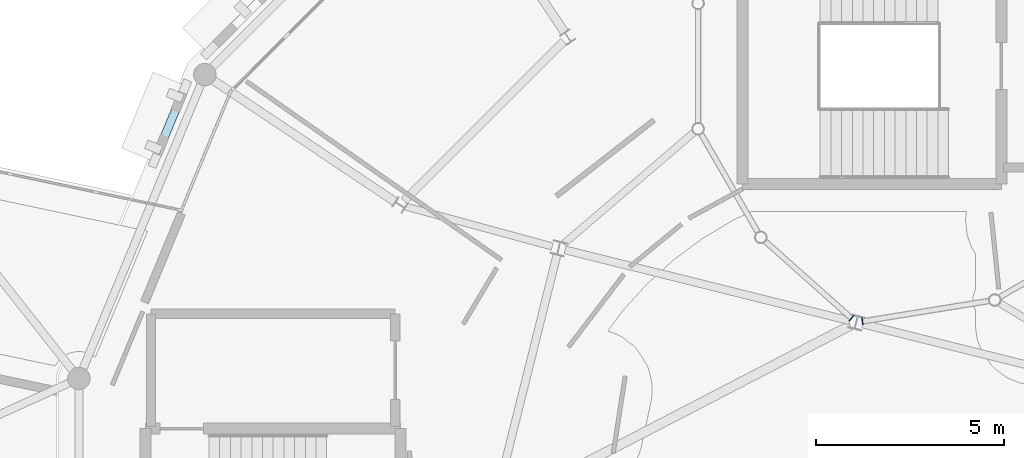
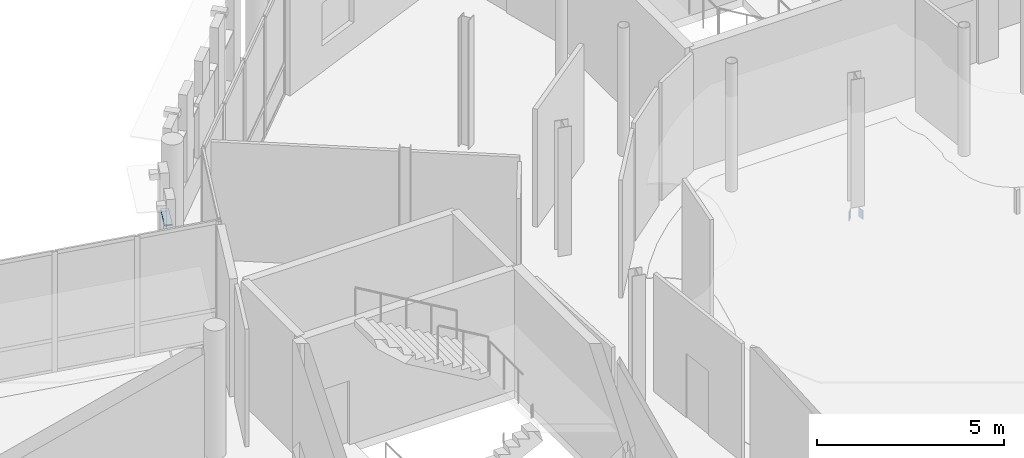
# One storey, part 85 of 125: 3 plates.
"""IFC4 building model written with IfcOpenShell, lengths in metres."""

from ifc_helpers import new_model, si_unit, direction, frame, origin, origin_2d, place, context, subcontext, project, spatial, rectangle, extrude, material, layer, layer_set, type_object, element, save


model = new_model("IFC4")

# Units and contexts
model_context = context("Model", 3, precision=1e-05, world=origin(), true_north=direction((0.0, 1.0)))
body_context = subcontext(model_context, "Body", "Model", "MODEL_VIEW")
ifc_project = project(units=[si_unit("LENGTHUNIT", "METRE"), si_unit("AREAUNIT", "SQUARE_METRE"), si_unit("VOLUMEUNIT", "CUBIC_METRE"), si_unit("PLANEANGLEUNIT", "RADIAN"), si_unit("MASSUNIT", "GRAM", prefix="KILO")], contexts=[model_context])

# Site, building, storey
site_placement = place(None, origin())
site = spatial("IfcSite", under=ifc_project, at=site_placement, CompositionType="ELEMENT")
building_placement = place(site_placement, origin())
building = spatial("IfcBuilding", under=site, at=building_placement, Name="Wrenclough Park School", CompositionType="ELEMENT")
storey_placement = place(building_placement, frame((0.0, 0.0, 4.199951171875)))
storey = spatial("IfcBuildingStorey", under=building, at=storey_placement, Name="L01", CompositionType="ELEMENT", Elevation=4.199951171875)

# Plates
ifc_material_1 = material(Name="Anodised architectural aluminium solar shading fin plate", Category="aluminium")
ifc_layer_1 = layer(ifc_material_1, 0.0380859375)
ifc_layer_set_1 = layer_set([ifc_layer_1], Name="Anodised architectural aluminium solar shading fin plate")
plate_type_1 = type_object("IfcPlateType", Name="ENV-PL-BSF", PredefinedType="SHEET", material=ifc_layer_set_1)
plate_placement = place(storey_placement, frame((135.904296875, 37.66845703125, 2.72216796875), z_axis=(0.0, 0.0, 1.0), x_axis=(-0.382679144648, -0.92388130853, 0.0)))
element("IfcPlate", 1, at=plate_placement, inside=storey, type_object=plate_type_1, Name="D1 L01 open-bond brick screen tie band 0139", PredefinedType="SHEET", context=body_context, shape_type="SweptSolid", body=[
    extrude(rectangle(XDim=0.7724609375, YDim=0.219970703125, at=origin_2d()), origin(), (0.0, 0.0, 1.0), 0.0419921875),
])
ifc_material_2 = material(Name="Structural steel S355", Category="steel")
ifc_layer_2 = layer(ifc_material_2, 0.2900390625)
ifc_layer_set_2 = layer_set([ifc_layer_2], Name="Structural steel S355")
plate_type_2 = type_object("IfcPlateType", Name="STR-PL-EP250", PredefinedType="SHEET", material=ifc_layer_set_2)
for number, where, z_axis, x_axis, name in (
    (2, (154.0537109375, 32.486328125, -0.534912109375), (0.0, 0.0, 1.0), (0.746405927603, -0.665490940013, 0.0), "D1-SH L01 ring beam 7 end sealing end-cap plate"),
    (3, (154.346435546875, 32.40087890625, -0.534912109375), (0.0, 0.0, 1.0), (0.987219843349, 0.15936430246, 0.0), "D1-SH L01 ring beam 8 start sealing end-cap plate"),
):
    element("IfcPlate", number, at=place(storey_placement, frame(where, z_axis=z_axis, x_axis=x_axis)), inside=storey, type_object=plate_type_2, Name=name, PredefinedType="SHEET", context=body_context, shape_type="SweptSolid", body=[
        extrude(rectangle(XDim=0.02197265625, YDim=0.18994140625, at=origin_2d()), origin(), (0.0, 0.0, 1.0), 0.2900390625),
    ])

save(model, "model.ifc")
